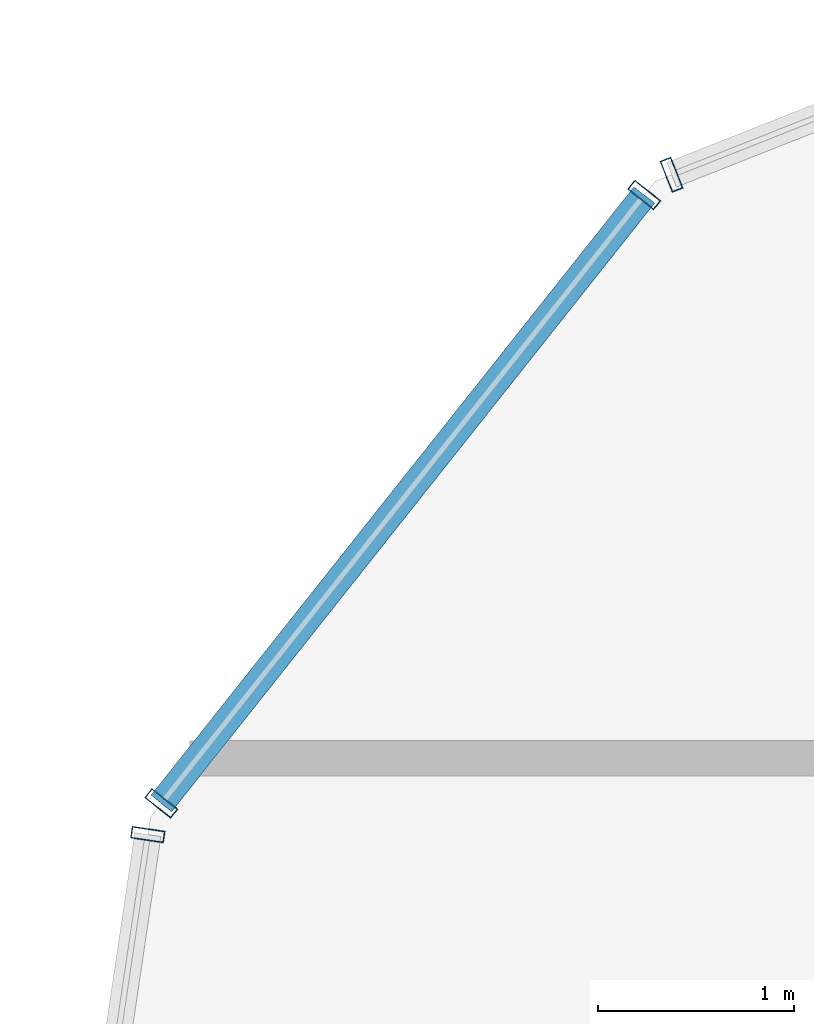
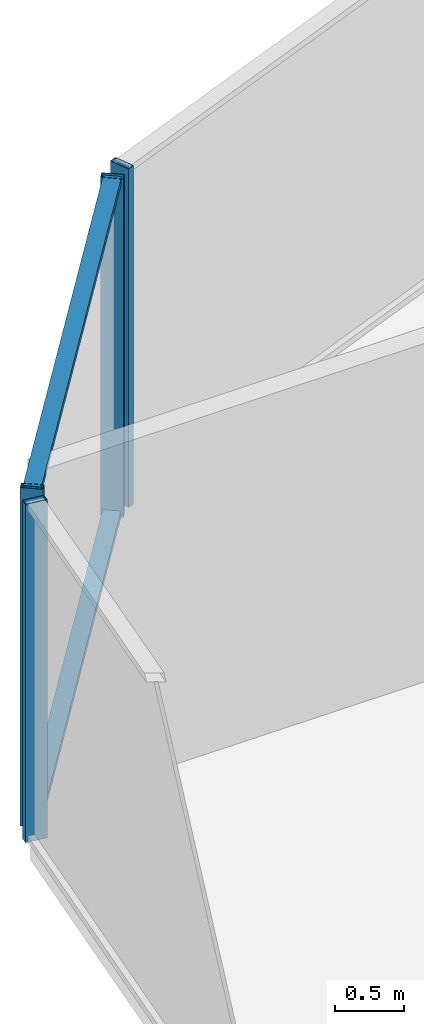
# One storey, part 18 of 29: 6 members, 3 elements without a shape of their own.
"""IFC4 building model written with IfcOpenShell, lengths in metres."""

from ifc_helpers import new_model, si_unit, direction, frame, origin, origin_2d, place, context, subcontext, project, spatial, hollow_rectangle, extrude, source, transform, mapped, material, layer, layer_set, material_profile, profile_set, type_object, element, aggregate, save


model = new_model("IFC4")

# Units and contexts
model_context = context("Model", 3, precision=1e-05, world=origin(), true_north=direction((0.0, 1.0)))
body_context = subcontext(model_context, "Body", "Model", "MODEL_VIEW")
ifc_project = project(units=[si_unit("LENGTHUNIT", "METRE"), si_unit("AREAUNIT", "SQUARE_METRE"), si_unit("VOLUMEUNIT", "CUBIC_METRE"), si_unit("PLANEANGLEUNIT", "RADIAN"), si_unit("MASSUNIT", "GRAM", prefix="KILO")], contexts=[model_context])

# Site, building, storey
site_placement = place(None, origin())
site = spatial("IfcSite", under=ifc_project, at=site_placement, CompositionType="ELEMENT")
building_placement = place(site_placement, origin())
building = spatial("IfcBuilding", under=site, at=building_placement, Name="Veraguas Prism Commons", CompositionType="ELEMENT")
storey_placement = place(building_placement, frame((0.0, 0.0, 99.199951171875)))
storey = spatial("IfcBuildingStorey", under=building, at=storey_placement, Name="L27", CompositionType="ELEMENT", Elevation=99.199951171875)

# Curtain wall, member
ifc_material = material(Name="Anodised aluminium EN AW-6063 T6", Category="aluminium")
ifc_layer = layer(ifc_material, 0.169921875, Name="Unitised Flush Curtain Wall Zone 2", Category="aluminium")
ifc_layer_set = layer_set([ifc_layer], Name="Anodised aluminium EN AW-6063 T6")
curtain_wall_type = type_object("IfcCurtainWallType", Name="Unitised Flush Curtain Wall Zone 2", PredefinedType="NOTDEFINED", material=ifc_layer_set)
curtain_wall_1_placement = place(storey_placement, origin())
curtain_wall_1 = element("IfcCurtainWall", 1, at=curtain_wall_1_placement, inside=storey, type_object=curtain_wall_type, Name="Tower Facade Curtain Wall L27-F2", PredefinedType="NOTDEFINED")
ifc_material_profile_1 = material_profile(ifc_material, hollow_rectangle(XDim=0.06005859375, YDim=0.169921875, WallThickness=0.00390625, at=origin_2d()), Name="AL60X170X4")
ifc_profile_set_1 = profile_set([ifc_material_profile_1], Name="Anodised aluminium EN AW-6063 T6")
member_type_1 = type_object("IfcMemberType", Name="Curtain Wall Mullion Lower AL 60x170x4", PredefinedType="MULLION", material=ifc_profile_set_1)
shared_shape_1 = source(origin(), body_context, "Body", "SweptSolid", [
    extrude(hollow_rectangle(XDim=0.06005859375, YDim=0.169921875, WallThickness=0.00390625, at=origin_2d()), origin(), (0.0, 0.0, 1.0), 3.0),
])
member_1_placement = place(storey_placement, frame((8.964599609375, 38.684814453125, 0.0), z_axis=(0.0, 0.0, 1.0), x_axis=(-0.93003197597, -0.367478603014, 0.0)))
member_1 = element("IfcMember", 2, at=member_1_placement, type_object=member_type_1, Name="CW-Z2 Mullion 5", PredefinedType="MULLION", context=body_context, shape_type="MappedRepresentation", body=[
    mapped(shared_shape_1, transform((0.0, 0.0, 0.0), scale=1.0)),
])
aggregate(curtain_wall_1, [member_1])

curtain_wall_2_placement = place(storey_placement, origin())
curtain_wall_2 = element("IfcCurtainWall", 3, at=curtain_wall_2_placement, inside=storey, type_object=curtain_wall_type, Name="Tower Facade Curtain Wall L27-F3", PredefinedType="NOTDEFINED")
member_2_placement = place(storey_placement, frame((6.28564453125, 35.3095703125, 0.0), z_axis=(0.0, 0.0, 1.0), x_axis=(-0.146777088137, -0.989169594356, 0.0)))
member_2 = element("IfcMember", 4, at=member_2_placement, type_object=member_type_1, Name="CW-Z2 Mullion 1", PredefinedType="MULLION", context=body_context, shape_type="MappedRepresentation", body=[
    mapped(shared_shape_1, transform((0.0, 0.0, 0.0), scale=1.0)),
])
aggregate(curtain_wall_2, [member_2])

# Curtain wall, members
curtain_wall_3_placement = place(storey_placement, origin())
curtain_wall_3 = element("IfcCurtainWall", 5, at=curtain_wall_3_placement, inside=storey, type_object=curtain_wall_type, Name="Chamfer Curtain Wall L27-C3", PredefinedType="NOTDEFINED")
member_3_placement = place(storey_placement, frame((8.824951171875, 38.581298828125, 0.0), z_axis=(0.0, 0.0, 1.0), x_axis=(-0.62168244662, -0.783269388885, 0.0)))
member_3 = element("IfcMember", 6, at=member_3_placement, type_object=member_type_1, Name="CW-Z2 Mullion 1", PredefinedType="MULLION", context=body_context, shape_type="MappedRepresentation", body=[
    mapped(shared_shape_1, transform((0.0, 0.0, 0.0), scale=1.0)),
])
member_4_placement = place(storey_placement, frame((6.354736328125, 35.46923828125, 0.0), z_axis=(0.0, 0.0, 1.0), x_axis=(-0.62168244662, -0.783269388885, 0.0)))
member_4 = element("IfcMember", 7, at=member_4_placement, type_object=member_type_1, Name="CW-Z2 Mullion 2", PredefinedType="MULLION", context=body_context, shape_type="MappedRepresentation", body=[
    mapped(shared_shape_1, transform((0.0, 0.0, 0.0), scale=1.0)),
])
ifc_material_profile_2 = material_profile(ifc_material, hollow_rectangle(XDim=0.054931640625, YDim=0.135009765625, WallThickness=0.0029296875, at=origin_2d()), Name="AL55X135X3")
ifc_profile_set_2 = profile_set([ifc_material_profile_2], Name="Anodised aluminium EN AW-6063 T6")
member_type_2 = type_object("IfcMemberType", Name="Curtain Wall Transom Standard AL 55x135x3", PredefinedType="USERDEFINED", material=ifc_profile_set_2)
shared_shape_2 = source(origin(), body_context, "Body", "SweptSolid", [
    extrude(hollow_rectangle(XDim=0.054931640625, YDim=0.135009765625, WallThickness=0.0029296875, at=origin_2d()), origin(), (0.0, 0.0, 1.0), 3.973388671875),
])
member_5_placement = place(storey_placement, frame((8.824951171875, 38.581298828125, 0.027587890625), z_axis=(-0.62170812431, -0.783249007766, 0.0), x_axis=(0.0, 0.0, 1.0)))
member_5 = element("IfcMember", 8, at=member_5_placement, type_object=member_type_2, Name="CW-Z2 Transom 1", ObjectType="TRANSOM", PredefinedType="USERDEFINED", context=body_context, shape_type="MappedRepresentation", body=[
    mapped(shared_shape_2, transform((0.0, 0.0, 0.0), scale=1.0)),
])
member_6_placement = place(storey_placement, frame((8.824951171875, 38.581298828125, 2.97265625), z_axis=(-0.62170812431, -0.783249007766, 0.0), x_axis=(0.0, 0.0, 1.0)))
member_6 = element("IfcMember", 9, at=member_6_placement, type_object=member_type_2, Name="CW-Z2 Transom 2", ObjectType="TRANSOM", PredefinedType="USERDEFINED", context=body_context, shape_type="MappedRepresentation", body=[
    mapped(shared_shape_2, transform((0.0, 0.0, 0.0), scale=1.0)),
])
aggregate(curtain_wall_3, [member_3, member_4, member_5, member_6])

save(model, "model.ifc")
